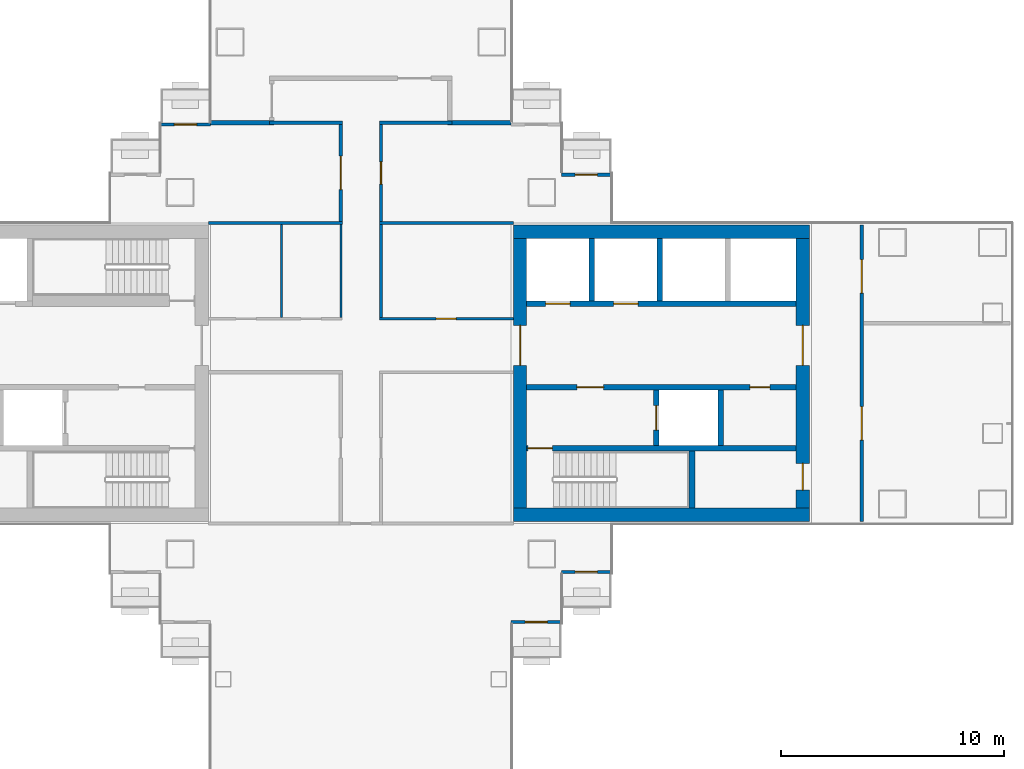
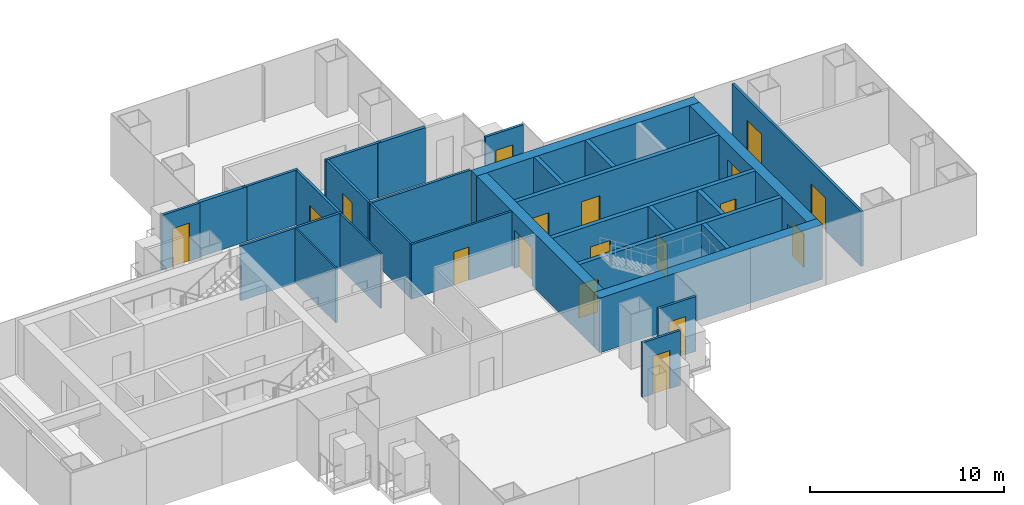
# One storey, part 13 of 20: 29 walls, 18 doors, 18 openings.
"""IFC4 building model written with IfcOpenShell, lengths in metres."""

import ifcopenshell
import ifcopenshell.guid

model = None  # the IFC model being written
_history = None  # IfcOwnerHistory: only IFC2X3 demands one
_inside = {}  # id of a spatial element -> (the spatial element, [elements in it])
_under = {}  # id of a project, library or spatial element -> (it, [spatial elements below it])
_declared = {}  # id of a project -> (the project, [libraries it declares])
_typed = {}  # id of a type object -> (the type object, [elements of that type])
_made_of = {}  # id of a material, layer set ... -> (it, [elements and type objects made of it])


def new_model(schema):
    """Start an empty IFC model of exactly this schema.

    Asked for "IFC4X3", IfcOpenShell would pick the latest addendum, in which some entities
    have other attributes; the version numbers below select the first issue.
    IFC2X3 requires an IfcOwnerHistory on every rooted entity: one is made here for all.
    """
    global model, _history
    if schema == "IFC4X3":
        model = ifcopenshell.file(schema_version=(4, 3, 0, 0))
    else:
        model = ifcopenshell.file(schema=schema)
    _inside.clear()
    _under.clear()
    _declared.clear()
    _typed.clear()
    _made_of.clear()
    _history = None
    if model.schema == "IFC2X3":
        org = make("IfcOrganization", Name="unknown")
        user = make(
            "IfcPersonAndOrganization",
            ThePerson=make("IfcPerson", FamilyName="unknown"),
            TheOrganization=org,
        )
        app = make(
            "IfcApplication",
            ApplicationDeveloper=org,
            Version="unknown",
            ApplicationFullName="unknown",
            ApplicationIdentifier="unknown",
        )
        _history = make(
            "IfcOwnerHistory",
            OwningUser=user,
            OwningApplication=app,
            ChangeAction="ADDED",
            CreationDate=0,
        )
    return model


def make(cls, **values):
    """One entity of the class cls with the attributes given. An attribute that is None is left unset."""
    return model.create_entity(
        cls, **{name: value for name, value in values.items() if value is not None}
    )


def rooted(cls, **values):
    """An entity with a GlobalId (a new one), such as an element, a storey or a relation."""
    return make(cls, GlobalId=ifcopenshell.guid.new(), OwnerHistory=_history, **values)


def si_unit(unit_type, name, prefix=None):
    """IfcSIUnit, for example si_unit("LENGTHUNIT", "METRE", prefix="MILLI")."""
    return make("IfcSIUnit", UnitType=unit_type, Prefix=prefix, Name=name)


def assignment(units):
    """IfcUnitAssignment: the units of a project."""
    return None if units is None else make("IfcUnitAssignment", Units=units)


def point(xyz):
    """IfcCartesianPoint."""
    return None if xyz is None else make("IfcCartesianPoint", Coordinates=xyz)


def direction(xyz):
    """IfcDirection."""
    return None if xyz is None else make("IfcDirection", DirectionRatios=xyz)


def frame(location, z_axis=None, x_axis=None):
    """IfcAxis2Placement3D, a coordinate frame: its origin and axes. An axis left out is left unset."""
    return make(
        "IfcAxis2Placement3D",
        Location=point(location),
        Axis=direction(z_axis),
        RefDirection=direction(x_axis),
    )


def frame_2d(location, x_axis=None):
    """IfcAxis2Placement2D, a coordinate frame in the plane: its origin and x axis."""
    return make(
        "IfcAxis2Placement2D", Location=point(location), RefDirection=direction(x_axis)
    )


def origin():
    """The frame at (0, 0, 0) with its axes left unset."""
    return frame((0.0, 0.0, 0.0))


def place(relative_to, where):
    """IfcLocalPlacement: puts the frame where relative to a parent placement (None: the world)."""
    return make(
        "IfcLocalPlacement", PlacementRelTo=relative_to, RelativePlacement=where
    )


def context(
    kind, dimensions, precision=None, world=None, true_north=None, identifier=None
):
    """IfcGeometricRepresentationContext, for example the 3D "Model" context."""
    return make(
        "IfcGeometricRepresentationContext",
        ContextIdentifier=identifier,
        ContextType=kind,
        CoordinateSpaceDimension=dimensions,
        Precision=precision,
        WorldCoordinateSystem=world,
        TrueNorth=true_north,
    )


def subcontext(parent, identifier, kind, view, scale=None):
    """IfcGeometricRepresentationSubContext, for example "Body" below "Model"."""
    return make(
        "IfcGeometricRepresentationSubContext",
        ContextIdentifier=identifier,
        ContextType=kind,
        ParentContext=parent,
        TargetScale=scale,
        TargetView=view,
    )


def project(units=None, contexts=None):
    """IfcProject with its units and contexts."""
    return rooted(
        "IfcProject",
        Name="project",
        RepresentationContexts=contexts,
        UnitsInContext=assignment(units),
    )


def spatial(cls, under=None, at=None, **own):
    """A site, building, storey or space (cls), placed at a placement, below another one or the project."""
    s = rooted(cls, ObjectPlacement=at, **own)
    if under is not None:
        _under.setdefault(under.id(), (under, []))[1].append(s)
    return s


def profile(cls, at=None, kind="AREA", **sizes):
    """A parametric profile (cls). Its sizes go by their IFC names, for example OverallWidth=200.0."""
    return make(cls, ProfileType=kind, Position=at, **sizes)


def rectangle(**sizes):
    """IfcRectangleProfileDef."""
    return profile("IfcRectangleProfileDef", **sizes)


def extrude(swept, where, along, depth):
    """IfcExtrudedAreaSolid: the profile swept, set in the frame where, extruded along a direction by depth."""
    return make(
        "IfcExtrudedAreaSolid",
        SweptArea=swept,
        Position=where,
        ExtrudedDirection=direction(along),
        Depth=depth,
    )


def shape(context_of_items, identifier, shape_type, items):
    """IfcShapeRepresentation: the items that make up one representation, for example the "Body"."""
    return make(
        "IfcShapeRepresentation",
        ContextOfItems=context_of_items,
        RepresentationIdentifier=identifier,
        RepresentationType=shape_type,
        Items=items,
    )


def material(Name=None, Category=None):
    """IfcMaterial."""
    return make("IfcMaterial", Name=Name, Category=Category)


def layer(
    of_material, thickness, ventilated=None, Name=None, Category=None, Priority=None
):
    """IfcMaterialLayer: one layer of a wall or slab, of a material (None: an air gap)."""
    return make(
        "IfcMaterialLayer",
        Material=of_material,
        LayerThickness=thickness,
        IsVentilated=ventilated,
        Name=Name,
        Category=Category,
        Priority=Priority,
    )


def layer_set(layers, Name=None):
    """IfcMaterialLayerSet."""
    return make("IfcMaterialLayerSet", MaterialLayers=layers, LayerSetName=Name)


def made_of(thing, what):
    """Note that an element or type object is made of a material, layer set ...; save() writes the relation."""
    if what is not None:
        _made_of.setdefault(what.id(), (what, []))[1].append(thing)
    return thing


def type_object(cls, material=None, **own):
    """A type object (cls), such as IfcWallType, which elements share."""
    return made_of(rooted(cls, **own), material)


def element(
    cls,
    number,
    at=None,
    inside=None,
    cuts=None,
    type_object=None,
    material=None,
    context=None,
    identifier="Body",
    shape_type=None,
    held_by="IfcProductDefinitionShape",
    body=None,
    shapes=None,
    **own,
):
    """One element of the class cls, such as IfcWall. Its Tag is "e" and its number.

    at: its placement. inside: the storey or other place that contains it. cuts: it is an
    opening in that element (IfcRelVoidsElement). A single representation is given by context,
    identifier, shape_type and body (its items); several are given by shapes. held_by: the class
    of the entity that holds the representations. save() writes the other relations.
    """
    e = rooted(cls, Tag="e%d" % number, ObjectPlacement=at, **own)
    if body is not None:
        shapes = [shape(context, identifier, shape_type, body)]
    if shapes is not None:
        e.Representation = make(held_by, Representations=shapes)
    if inside is not None:
        _inside.setdefault(inside.id(), (inside, []))[1].append(e)
    if cuts is not None:
        rooted(
            "IfcRelVoidsElement", RelatingBuildingElement=cuts, RelatedOpeningElement=e
        )
    if type_object is not None:
        _typed.setdefault(type_object.id(), (type_object, []))[1].append(e)
    return made_of(e, material)


def fill(opening, filler):
    """IfcRelFillsElement: the door or window that sits in an opening."""
    return rooted(
        "IfcRelFillsElement",
        RelatingOpeningElement=opening,
        RelatedBuildingElement=filler,
    )


def aggregate(whole, parts):
    """IfcRelAggregates: a whole, such as a stair, and the parts it consists of."""
    return rooted("IfcRelAggregates", RelatingObject=whole, RelatedObjects=parts)


def save(model, path):
    """Write the relations noted so far, then the file.

    IfcRelAggregates (storeys below a building ...), IfcRelContainedInSpatialStructure (elements
    in a storey), IfcRelDefinesByType, IfcRelAssociatesMaterial and IfcRelDeclares: one each for
    every whole, place, type object, material and project.
    """
    for whole, parts in _under.values():
        aggregate(whole, parts)
    for where, things in _inside.values():
        rooted(
            "IfcRelContainedInSpatialStructure",
            RelatedElements=things,
            RelatingStructure=where,
        )
    for kind, things in _typed.values():
        rooted("IfcRelDefinesByType", RelatedObjects=things, RelatingType=kind)
    for what, things in _made_of.values():
        rooted("IfcRelAssociatesMaterial", RelatedObjects=things, RelatingMaterial=what)
    for by, libraries in _declared.values():
        rooted("IfcRelDeclares", RelatingContext=by, RelatedDefinitions=libraries)
    model.write(path)


model = new_model("IFC4")

# Units and contexts
model_context = context("Model", 3, precision=1e-05, world=origin(), true_north=direction((0.0, 1.0)))
body_context = subcontext(model_context, "Body", "Model", "MODEL_VIEW")
ifc_project = project(units=[si_unit("LENGTHUNIT", "METRE"), si_unit("AREAUNIT", "SQUARE_METRE"), si_unit("VOLUMEUNIT", "CUBIC_METRE"), si_unit("PLANEANGLEUNIT", "RADIAN"), si_unit("MASSUNIT", "GRAM", prefix="KILO")], contexts=[model_context])

# Site, building, storey
site_placement = place(None, origin())
site = spatial("IfcSite", under=ifc_project, at=site_placement, CompositionType="ELEMENT")
building_placement = place(site_placement, origin())
building = spatial("IfcBuilding", under=site, at=building_placement, Name="Shamsa Quay Exchange Towers", CompositionType="ELEMENT")
storey_placement = place(building_placement, frame((0.0, 0.0, 124.800048828125)))
storey = spatial("IfcBuildingStorey", under=building, at=storey_placement, Name="L29", CompositionType="ELEMENT", Elevation=124.800048828125)

# Walls
ifc_material_1 = material(Name="Double-leaf gypsum board partition with acoustic insulation")
ifc_layer_1 = layer(ifc_material_1, 0.199951171875)
ifc_layer_set_1 = layer_set([ifc_layer_1], Name="Acoustic partition 200 mm EI 60")
wall_type_1 = type_object("IfcWallType", Name="Acoustic partition 200 mm EI 60", PredefinedType="PARTITIONING", material=ifc_layer_set_1)
for number, where, z_axis, x_axis, name in (
    (1, (-27.0, 11.25, 0.0), (0.0, 0.0, 1.0), (-1.0, 0.0, 0.0), "Partition T1-R13-W23"),
    (2, (-37.64990234375, 11.25, 0.0), (0.0, 0.0, 1.0), (-1.0, 0.0, 0.0), "Partition T1-R13-W24"),
):
    element("IfcWall", number, at=place(storey_placement, frame(where, z_axis=z_axis, x_axis=x_axis)), inside=storey, type_object=wall_type_1, Name=name, PredefinedType="PARTITIONING", context=body_context, shape_type="SweptSolid", body=[
        extrude(rectangle(XDim=2.85009765625, YDim=0.199951171875, at=frame_2d((1.425048828125, 0.0))), origin(), (0.0, 0.0, 1.0), 3.449951171875),
    ])

# Wall, opening, door
ifc_material_2 = material(Name="Aluminium EN AW-6063 T6, black anodised, with black enamelled glass infill", Category="aluminium")
ifc_layer_2 = layer(ifc_material_2, 0.14990234375)
ifc_layer_set_2 = layer_set([ifc_layer_2], Name="BALCONY DOOR BAY WALL 150")
wall_type_2 = type_object("IfcWallType", Name="BALCONY DOOR BAY WALL 150", PredefinedType="SOLIDWALL", material=ifc_layer_set_2)
wall_1_placement = place(storey_placement, frame((-24.75, 8.925048828125, 0.0)))
wall_1 = element("IfcWall", 3, at=wall_1_placement, inside=storey, type_object=wall_type_2, Name="Door bay T1-PKEN L29", PredefinedType="SOLIDWALL", context=body_context, shape_type="SweptSolid", body=[
    extrude(rectangle(XDim=2.25, YDim=0.14990234375, at=frame_2d((1.125, 0.0))), origin(), (0.0, 0.0, 1.0), 3.449951171875),
])
opening_1_placement = place(wall_1_placement, frame((0.625, 0.0, 0.0)))
opening_1 = element("IfcOpeningElement", 4, at=opening_1_placement, cuts=wall_1, Name="Opening XD185", PredefinedType="OPENING", context=body_context, shape_type="SweptSolid", body=[
    extrude(rectangle(XDim=1.0, YDim=2.39990234375, at=frame_2d((0.5, 1.199951171875))), frame((0.0, 0.0849609375, 0.0), z_axis=(0.0, -1.0, 0.0), x_axis=(1.0, 0.0, 0.0)), (0.0, 0.0, 1.0), 0.169921875),
])
ifc_material_3 = material(Name="Aluminium EN AW-6063 T6, black anodised, with laminated glass leaf", Category="aluminium")
door_type_1 = type_object("IfcDoorType", Name="BALCONY DOOR 1000x2400", OperationType="SINGLE_SWING_LEFT", PredefinedType="DOOR", material=ifc_material_3)
door_1_placement = place(opening_1_placement, origin())
door_1 = element("IfcDoor", 5, at=door_1_placement, inside=storey, type_object=door_type_1, Name="Balcony door T1-PKEN L29", OperationType="SINGLE_SWING_RIGHT", OverallHeight=2.39990234375, OverallWidth=1.0, PredefinedType="DOOR", context=body_context, shape_type="SweptSolid", body=[
    extrude(rectangle(XDim=1.0, YDim=2.39990234375, at=frame_2d((0.5, 1.199951171875))), frame((0.0, 0.02490234375, 0.0), z_axis=(0.0, -1.0, 0.0), x_axis=(1.0, 0.0, 0.0)), (0.0, 0.0, 1.0), 0.050048828125),
])
fill(opening_1, door_1)

wall_2_placement = place(storey_placement, frame((-22.5, -8.925048828125, 0.0), z_axis=(0.0, 0.0, 1.0), x_axis=(-1.0, 0.0, 0.0)))
wall_2 = element("IfcWall", 6, at=wall_2_placement, inside=storey, type_object=wall_type_2, Name="Door bay T1-PKES L29", PredefinedType="SOLIDWALL", context=body_context, shape_type="SweptSolid", body=[
    extrude(rectangle(XDim=2.25, YDim=0.14990234375, at=frame_2d((1.125, 0.0))), origin(), (0.0, 0.0, 1.0), 3.449951171875),
])
opening_2_placement = place(wall_2_placement, frame((0.625, 0.0, 0.0)))
opening_2 = element("IfcOpeningElement", 7, at=opening_2_placement, cuts=wall_2, Name="Opening XD187", PredefinedType="OPENING", context=body_context, shape_type="SweptSolid", body=[
    extrude(rectangle(XDim=1.0, YDim=2.39990234375, at=frame_2d((0.5, 1.199951171875))), frame((0.0, 0.0849609375, 0.0), z_axis=(0.0, -1.0, 0.0), x_axis=(1.0, 0.0, 0.0)), (0.0, 0.0, 1.0), 0.169921875),
])
door_2_placement = place(opening_2_placement, origin())
door_2 = element("IfcDoor", 8, at=door_2_placement, inside=storey, type_object=door_type_1, Name="Balcony door T1-PKES L29", OperationType="SINGLE_SWING_RIGHT", OverallHeight=2.39990234375, OverallWidth=1.0, PredefinedType="DOOR", context=body_context, shape_type="SweptSolid", body=[
    extrude(rectangle(XDim=1.0, YDim=2.39990234375, at=frame_2d((0.5, 1.199951171875))), frame((0.0, 0.02490234375, 0.0), z_axis=(0.0, -1.0, 0.0), x_axis=(1.0, 0.0, 0.0)), (0.0, 0.0, 1.0), 0.050048828125),
])
fill(opening_2, door_2)

wall_3_placement = place(storey_placement, frame((-24.75, -11.175048828125, 0.0), z_axis=(0.0, 0.0, 1.0), x_axis=(-1.0, 0.0, 0.0)))
wall_3 = element("IfcWall", 9, at=wall_3_placement, inside=storey, type_object=wall_type_2, Name="Door bay T1-PKES L29", PredefinedType="SOLIDWALL", context=body_context, shape_type="SweptSolid", body=[
    extrude(rectangle(XDim=2.25, YDim=0.14990234375, at=frame_2d((1.125, 0.0))), origin(), (0.0, 0.0, 1.0), 3.449951171875),
])
opening_3_placement = place(wall_3_placement, frame((0.625, 0.0, 0.0)))
opening_3 = element("IfcOpeningElement", 10, at=opening_3_placement, cuts=wall_3, Name="Opening XD188", PredefinedType="OPENING", context=body_context, shape_type="SweptSolid", body=[
    extrude(rectangle(XDim=1.0, YDim=2.39990234375, at=frame_2d((0.5, 1.199951171875))), frame((0.0, 0.0849609375, 0.0), z_axis=(0.0, -1.0, 0.0), x_axis=(1.0, 0.0, 0.0)), (0.0, 0.0, 1.0), 0.169921875),
])
door_3_placement = place(opening_3_placement, origin())
door_3 = element("IfcDoor", 11, at=door_3_placement, inside=storey, type_object=door_type_1, Name="Balcony door T1-PKES L29", OperationType="SINGLE_SWING_LEFT", OverallHeight=2.39990234375, OverallWidth=1.0, PredefinedType="DOOR", context=body_context, shape_type="SweptSolid", body=[
    extrude(rectangle(XDim=1.0, YDim=2.39990234375, at=frame_2d((0.5, 1.199951171875))), frame((0.0, 0.02490234375, 0.0), z_axis=(0.0, -1.0, 0.0), x_axis=(1.0, 0.0, 0.0)), (0.0, 0.0, 1.0), 0.050048828125),
])
fill(opening_3, door_3)

wall_4_placement = place(storey_placement, frame((-42.75, 11.175048828125, 0.0)))
wall_4 = element("IfcWall", 12, at=wall_4_placement, inside=storey, type_object=wall_type_2, Name="Door bay T1-PKWN L29", PredefinedType="SOLIDWALL", context=body_context, shape_type="SweptSolid", body=[
    extrude(rectangle(XDim=2.25, YDim=0.14990234375, at=frame_2d((1.125, 0.0))), origin(), (0.0, 0.0, 1.0), 3.449951171875),
])
opening_4_placement = place(wall_4_placement, frame((0.625, 0.0, 0.0)))
opening_4 = element("IfcOpeningElement", 13, at=opening_4_placement, cuts=wall_4, Name="Opening XD189", PredefinedType="OPENING", context=body_context, shape_type="SweptSolid", body=[
    extrude(rectangle(XDim=1.0, YDim=2.39990234375, at=frame_2d((0.5, 1.199951171875))), frame((0.0, 0.0849609375, 0.0), z_axis=(0.0, -1.0, 0.0), x_axis=(1.0, 0.0, 0.0)), (0.0, 0.0, 1.0), 0.169921875),
])
door_4_placement = place(opening_4_placement, origin())
door_4 = element("IfcDoor", 14, at=door_4_placement, inside=storey, type_object=door_type_1, Name="Balcony door T1-PKWN L29", OperationType="SINGLE_SWING_LEFT", OverallHeight=2.39990234375, OverallWidth=1.0, PredefinedType="DOOR", context=body_context, shape_type="SweptSolid", body=[
    extrude(rectangle(XDim=1.0, YDim=2.39990234375, at=frame_2d((0.5, 1.199951171875))), frame((0.0, 0.02490234375, 0.0), z_axis=(0.0, -1.0, 0.0), x_axis=(1.0, 0.0, 0.0)), (0.0, 0.0, 1.0), 0.050048828125),
])
fill(opening_4, door_4)

# Walls
ifc_material_4 = material(Name="Concrete C70/85", Category="concrete")
ifc_layer_3 = layer(ifc_material_4, 0.60009765625)
ifc_layer_set_3 = layer_set([ifc_layer_3], Name="CORE WALL 600 C70/85")
wall_type_3 = type_object("IfcWallType", Name="CORE WALL 600 C70/85", PredefinedType="SHEAR", material=ifc_layer_set_3)
for number, where, name in (
    (15, (-26.89990234375, -6.35009765625, 0.0), "Core wall T1A-R13-PS"),
    (16, (-26.89990234375, 6.35009765625, 0.0), "Core wall T1A-R13-PN"),
):
    element("IfcWall", number, at=place(storey_placement, frame(where)), inside=storey, type_object=wall_type_3, Name=name, PredefinedType="SHEAR", context=body_context, shape_type="SweptSolid", body=[
        extrude(rectangle(XDim=13.2998046875, YDim=0.60009765625, at=frame_2d((6.64990234375, 0.0))), origin(), (0.0, 0.0, 1.0), 3.449951171875),
    ])

# Wall, opening, door
wall_5_placement = place(storey_placement, frame((-26.60009765625, 6.050048828125, 0.0), z_axis=(0.0, 0.0, 1.0), x_axis=(0.0, -1.0, 0.0)))
wall_5 = element("IfcWall", 17, at=wall_5_placement, inside=storey, type_object=wall_type_3, Name="Core wall T1A-R13-PF", PredefinedType="SHEAR", context=body_context, shape_type="SweptSolid", body=[
    extrude(rectangle(XDim=12.10009765625, YDim=0.60009765625, at=frame_2d((6.050048828125, 0.0))), origin(), (0.0, 0.0, 1.0), 3.449951171875),
])
opening_5_placement = place(wall_5_placement, frame((3.89990234375, 0.0, 0.0)))
opening_5 = element("IfcOpeningElement", 18, at=opening_5_placement, cuts=wall_5, Name="Opening T1A-R13-LBD01", PredefinedType="OPENING", context=body_context, shape_type="SweptSolid", body=[
    extrude(rectangle(XDim=1.800048828125, YDim=2.39990234375, at=frame_2d((0.89990234375, 1.199951171875))), frame((0.0, 0.31005859375, 0.0), z_axis=(0.0, -1.0, 0.0), x_axis=(1.0, 0.0, 0.0)), (0.0, 0.0, 1.0), 0.6201171875),
])
ifc_material_5 = material(Name="Steel, fire rated", Category="steel")
door_type_2 = type_object("IfcDoorType", Name="LIFT LOBBY DOOR PAIR 1800", OperationType="DOUBLE_DOOR_SINGLE_SWING", PredefinedType="DOOR", material=ifc_material_5)
door_5_placement = place(opening_5_placement, origin())
door_5 = element("IfcDoor", 19, at=door_5_placement, inside=storey, type_object=door_type_2, Name="T1A-R13-LBD01", OperationType="DOUBLE_DOOR_SINGLE_SWING", OverallHeight=2.39990234375, OverallWidth=1.800048828125, PredefinedType="DOOR", context=body_context, shape_type="SweptSolid", body=[
    extrude(rectangle(XDim=1.800048828125, YDim=2.39990234375, at=frame_2d((0.89990234375, 1.199951171875))), frame((0.0, 0.02490234375, 0.0), z_axis=(0.0, -1.0, 0.0), x_axis=(1.0, 0.0, 0.0)), (0.0, 0.0, 1.0), 0.050048828125),
])
fill(opening_5, door_5)

# Wall, openings, doors
wall_6_placement = place(storey_placement, frame((-13.89990234375, 6.050048828125, 0.0), z_axis=(0.0, 0.0, 1.0), x_axis=(0.0, -1.0, 0.0)))
wall_6 = element("IfcWall", 20, at=wall_6_placement, inside=storey, type_object=wall_type_3, Name="Core wall T1A-R13-PB", PredefinedType="SHEAR", context=body_context, shape_type="SweptSolid", body=[
    extrude(rectangle(XDim=12.10009765625, YDim=0.60009765625, at=frame_2d((6.050048828125, 0.0))), origin(), (0.0, 0.0, 1.0), 3.449951171875),
])
opening_6_placement = place(wall_6_placement, frame((10.10009765625, 0.0, 0.0)))
opening_6 = element("IfcOpeningElement", 21, at=opening_6_placement, cuts=wall_6, Name="Opening T1A-R13-RD02", PredefinedType="OPENING", context=body_context, shape_type="SweptSolid", body=[
    extrude(rectangle(XDim=1.199951171875, YDim=2.10009765625, at=frame_2d((0.60009765625, 1.050048828125))), frame((0.0, 0.31005859375, 0.0), z_axis=(0.0, -1.0, 0.0), x_axis=(1.0, 0.0, 0.0)), (0.0, 0.0, 1.0), 0.6201171875),
])
opening_7_placement = place(wall_6_placement, frame((3.89990234375, 0.0, 0.0)))
opening_7 = element("IfcOpeningElement", 22, at=opening_7_placement, cuts=wall_6, Name="Opening T1A-R13-LBD03", PredefinedType="OPENING", context=body_context, shape_type="SweptSolid", body=[
    extrude(rectangle(XDim=1.800048828125, YDim=2.39990234375, at=frame_2d((0.89990234375, 1.199951171875))), frame((0.0, 0.31005859375, 0.0), z_axis=(0.0, -1.0, 0.0), x_axis=(1.0, 0.0, 0.0)), (0.0, 0.0, 1.0), 0.6201171875),
])
door_6_placement = place(opening_7_placement, origin())
door_6 = element("IfcDoor", 23, at=door_6_placement, inside=storey, type_object=door_type_2, Name="T1A-R13-LBD03", OperationType="DOUBLE_DOOR_SINGLE_SWING", OverallHeight=2.39990234375, OverallWidth=1.800048828125, PredefinedType="DOOR", context=body_context, shape_type="SweptSolid", body=[
    extrude(rectangle(XDim=1.800048828125, YDim=2.39990234375, at=frame_2d((0.89990234375, 1.199951171875))), frame((0.0, 0.02490234375, 0.0), z_axis=(0.0, -1.0, 0.0), x_axis=(1.0, 0.0, 0.0)), (0.0, 0.0, 1.0), 0.050048828125),
])
fill(opening_7, door_6)
door_type_3 = type_object("IfcDoorType", Name="RISER ACCESS DOOR 1200", OperationType="SINGLE_SWING_LEFT", PredefinedType="DOOR", material=ifc_material_5)
door_7_placement = place(opening_6_placement, origin())
door_7 = element("IfcDoor", 24, at=door_7_placement, inside=storey, type_object=door_type_3, Name="T1A-R13-RD02", OperationType="SINGLE_SWING_RIGHT", OverallHeight=2.10009765625, OverallWidth=1.199951171875, PredefinedType="DOOR", context=body_context, shape_type="SweptSolid", body=[
    extrude(rectangle(XDim=1.199951171875, YDim=2.10009765625, at=frame_2d((0.60009765625, 1.050048828125))), frame((0.0, 0.02490234375, 0.0), z_axis=(0.0, -1.0, 0.0), x_axis=(1.0, 0.0, 0.0)), (0.0, 0.0, 1.0), 0.050048828125),
])
fill(opening_6, door_7)

# Wall
ifc_material_6 = material(Name="Laminated fire-resisting glass in a metal frame", Category="glass")
ifc_layer_4 = layer(ifc_material_6, 0.125)
ifc_layer_set_4 = layer_set([ifc_layer_4], Name="Glazed partition 125 mm EI 60")
wall_type_4 = type_object("IfcWallType", Name="Glazed partition 125 mm EI 60", PredefinedType="PARTITIONING", material=ifc_layer_set_4)
wall_7_placement = place(storey_placement, frame((-32.849609375, 6.675048828125, 0.0), z_axis=(0.0, 0.0, 1.0), x_axis=(0.0, -1.0, 0.0)))
element("IfcWall", 25, at=wall_7_placement, inside=storey, type_object=wall_type_4, Name="Partition T1-R13-W01", PredefinedType="PARTITIONING", context=body_context, shape_type="SweptSolid", body=[
    extrude(rectangle(XDim=4.162353515625, YDim=0.125, at=frame_2d((2.0810546875, 0.0))), origin(), (0.0, 0.0, 1.0), 3.449951171875),
])

# Wall, opening, door
wall_8_placement = place(storey_placement, frame((-32.912109375, 2.4501953125, 0.0)))
wall_8 = element("IfcWall", 26, at=wall_8_placement, inside=storey, type_object=wall_type_4, Name="Partition T1-R13-W03", PredefinedType="PARTITIONING", context=body_context, shape_type="SweptSolid", body=[
    extrude(rectangle(XDim=6.01220703125, YDim=0.125, at=frame_2d((3.006103515625, 0.0))), origin(), (0.0, 0.0, 1.0), 3.449951171875),
])
opening_8_placement = place(wall_8_placement, frame((2.537353515625, 0.0, 0.0)))
opening_8 = element("IfcOpeningElement", 27, at=opening_8_placement, cuts=wall_8, Name="Opening T1-R13-D08", PredefinedType="OPENING", context=body_context, shape_type="SweptSolid", body=[
    extrude(rectangle(XDim=0.89990234375, YDim=2.10009765625, at=frame_2d((0.449951171875, 1.050048828125))), frame((0.0, 0.072509765625, 0.0), z_axis=(0.0, -1.0, 0.0), x_axis=(1.0, 0.0, 0.0)), (0.0, 0.0, 1.0), 0.14501953125),
])
ifc_material_7 = material(Name="Timber door leaf in a metal frame", Category="wood")
door_type_4 = type_object("IfcDoorType", Name="Door 900x2100 FD30S", OperationType="NOTDEFINED", PredefinedType="DOOR", material=ifc_material_7)
door_8_placement = place(opening_8_placement, origin())
door_8 = element("IfcDoor", 28, at=door_8_placement, inside=storey, type_object=door_type_4, Name="Door T1-R13-D08", OperationType="SINGLE_SWING_RIGHT", OverallHeight=2.10009765625, OverallWidth=0.89990234375, PredefinedType="DOOR", context=body_context, shape_type="SweptSolid", body=[
    extrude(rectangle(XDim=0.89990234375, YDim=2.10009765625, at=frame_2d((0.449951171875, 1.050048828125))), frame((0.0, 0.02490234375, 0.0), z_axis=(0.0, -1.0, 0.0), x_axis=(1.0, 0.0, 0.0)), (0.0, 0.0, 1.0), 0.050048828125),
])
fill(opening_8, door_8)

# Walls
ifc_material_8 = material(Name="Gypsum board partition on metal studs")
ifc_layer_5 = layer(ifc_material_8, 0.10009765625)
ifc_layer_set_5 = layer_set([ifc_layer_5], Name="Partition 100 mm NOT RATED")
wall_type_5 = type_object("IfcWallType", Name="Partition 100 mm NOT RATED", PredefinedType="PARTITIONING", material=ifc_layer_set_5)
for number, where, z_axis, x_axis, name in (
    (29, (-34.650390625, 2.500244140625, 0.0), (0.0, 0.0, 1.0), (0.0, 1.0, 0.0), "Partition T1-R13-W06"),
    (30, (-37.3125, 2.500244140625, 0.0), (0.0, 0.0, 1.0), (0.0, 1.0, 0.0), "Partition T1-R13-W22"),
):
    element("IfcWall", number, at=place(storey_placement, frame(where, z_axis=z_axis, x_axis=x_axis)), inside=storey, type_object=wall_type_5, Name=name, PredefinedType="PARTITIONING", context=body_context, shape_type="SweptSolid", body=[
        extrude(rectangle(XDim=4.1748046875, YDim=0.10009765625, at=frame_2d((2.08740234375, 0.0))), origin(), (0.0, 0.0, 1.0), 3.449951171875),
    ])

# Wall, opening, door
ifc_layer_6 = layer(ifc_material_8, 0.14990234375)
ifc_layer_set_6 = layer_set([ifc_layer_6], Name="Partition 150 mm EI 60")
wall_type_6 = type_object("IfcWallType", Name="Partition 150 mm EI 60", PredefinedType="PARTITIONING", material=ifc_layer_set_6)
wall_9_placement = place(storey_placement, frame((-34.650390625, 6.824951171875, 0.0), z_axis=(0.0, 0.0, 1.0), x_axis=(0.0, 1.0, 0.0)))
wall_9 = element("IfcWall", 31, at=wall_9_placement, inside=storey, type_object=wall_type_6, Name="Partition T1-R13-W08", PredefinedType="PARTITIONING", context=body_context, shape_type="SweptSolid", body=[
    extrude(rectangle(XDim=4.35009765625, YDim=0.14990234375, at=frame_2d((2.175048828125, 0.0))), origin(), (0.0, 0.0, 1.0), 3.449951171875),
])
opening_9_placement = place(wall_9_placement, frame((1.425048828125, 0.0, 0.0)))
opening_9 = element("IfcOpeningElement", 32, at=opening_9_placement, cuts=wall_9, Name="Opening T1-R13-D05", PredefinedType="OPENING", context=body_context, shape_type="SweptSolid", body=[
    extrude(rectangle(XDim=1.5, YDim=2.10009765625, at=frame_2d((0.75, 1.050048828125))), frame((0.0, 0.0849609375, 0.0), z_axis=(0.0, -1.0, 0.0), x_axis=(1.0, 0.0, 0.0)), (0.0, 0.0, 1.0), 0.169921875),
])
door_type_5 = type_object("IfcDoorType", Name="Door 1500x2100 FD30S pair", OperationType="NOTDEFINED", PredefinedType="DOOR", material=ifc_material_7)
door_9_placement = place(opening_9_placement, origin())
door_9 = element("IfcDoor", 33, at=door_9_placement, inside=storey, type_object=door_type_5, Name="Door T1-R13-D05", OperationType="DOUBLE_DOOR_SINGLE_SWING", OverallHeight=2.10009765625, OverallWidth=1.5, PredefinedType="DOOR", context=body_context, shape_type="SweptSolid", body=[
    extrude(rectangle(XDim=1.5, YDim=2.10009765625, at=frame_2d((0.75, 1.050048828125))), frame((0.0, 0.02490234375, 0.0), z_axis=(0.0, -1.0, 0.0), x_axis=(1.0, 0.0, 0.0)), (0.0, 0.0, 1.0), 0.050048828125),
])
fill(opening_9, door_9)

# Walls
for number, where, z_axis, x_axis, name in (
    (34, (-29.64990234375, 11.25, 0.0), (0.0, 0.0, 1.0), (-1.0, 0.0, 0.0), "Partition T1-R13-W10"),
    (35, (-34.575439453125, 11.25, 0.0), (0.0, 0.0, 1.0), (-1.0, 0.0, 0.0), "Partition T1-R13-W11"),
):
    element("IfcWall", number, at=place(storey_placement, frame(where, z_axis=z_axis, x_axis=x_axis)), inside=storey, type_object=wall_type_6, Name=name, PredefinedType="PARTITIONING", context=body_context, shape_type="SweptSolid", body=[
        extrude(rectangle(XDim=3.274658203125, YDim=0.14990234375, at=frame_2d((1.63720703125, 0.0))), origin(), (0.0, 0.0, 1.0), 3.449951171875),
    ])

# Wall, opening, door
wall_10_placement = place(storey_placement, frame((-32.849609375, 11.175048828125, 0.0), z_axis=(0.0, 0.0, 1.0), x_axis=(0.0, -1.0, 0.0)))
wall_10 = element("IfcWall", 36, at=wall_10_placement, inside=storey, type_object=wall_type_6, Name="Partition T1-R13-W12", PredefinedType="PARTITIONING", context=body_context, shape_type="SweptSolid", body=[
    extrude(rectangle(XDim=4.35009765625, YDim=0.14990234375, at=frame_2d((2.175048828125, 0.0))), origin(), (0.0, 0.0, 1.0), 3.449951171875),
])
opening_10_placement = place(wall_10_placement, frame((1.675048828125, 0.0, 0.0)))
opening_10 = element("IfcOpeningElement", 37, at=opening_10_placement, cuts=wall_10, Name="Opening T1-R13-D09", PredefinedType="OPENING", context=body_context, shape_type="SweptSolid", body=[
    extrude(rectangle(XDim=1.0, YDim=2.39990234375, at=frame_2d((0.5, 1.199951171875))), frame((0.0, 0.0849609375, 0.0), z_axis=(0.0, -1.0, 0.0), x_axis=(1.0, 0.0, 0.0)), (0.0, 0.0, 1.0), 0.169921875),
])
door_type_6 = type_object("IfcDoorType", Name="Door 1000x2400 FD30S", OperationType="NOTDEFINED", PredefinedType="DOOR", material=ifc_material_7)
door_10_placement = place(opening_10_placement, origin())
door_10 = element("IfcDoor", 38, at=door_10_placement, inside=storey, type_object=door_type_6, Name="Door T1-R13-D09", OperationType="SINGLE_SWING_LEFT", OverallHeight=2.39990234375, OverallWidth=1.0, PredefinedType="DOOR", context=body_context, shape_type="SweptSolid", body=[
    extrude(rectangle(XDim=1.0, YDim=2.39990234375, at=frame_2d((0.5, 1.199951171875))), frame((0.0, 0.02490234375, 0.0), z_axis=(0.0, -1.0, 0.0), x_axis=(1.0, 0.0, 0.0)), (0.0, 0.0, 1.0), 0.050048828125),
])
fill(opening_10, door_10)

# Wall, openings, doors
wall_11_placement = place(storey_placement, frame((-11.25, 6.655029296875, 0.0), z_axis=(0.0, 0.0, 1.0), x_axis=(0.0, -1.0, 0.0)))
wall_11 = element("IfcWall", 39, at=wall_11_placement, inside=storey, type_object=wall_type_6, Name="Partition T1-R13-W17", PredefinedType="PARTITIONING", context=body_context, shape_type="SweptSolid", body=[
    extrude(rectangle(XDim=13.31005859375, YDim=0.14990234375, at=frame_2d((6.655029296875, 0.0))), origin(), (0.0, 0.0, 1.0), 3.449951171875),
])
opening_11_placement = place(wall_11_placement, frame((1.554931640625, 0.0, 0.0)))
opening_11 = element("IfcOpeningElement", 40, at=opening_11_placement, cuts=wall_11, Name="Opening T1-R13-D11", PredefinedType="OPENING", context=body_context, shape_type="SweptSolid", body=[
    extrude(rectangle(XDim=1.5, YDim=2.10009765625, at=frame_2d((0.75, 1.050048828125))), frame((0.0, 0.0849609375, 0.0), z_axis=(0.0, -1.0, 0.0), x_axis=(1.0, 0.0, 0.0)), (0.0, 0.0, 1.0), 0.169921875),
])
opening_12_placement = place(wall_11_placement, frame((8.155029296875, 0.0, 0.0)))
opening_12 = element("IfcOpeningElement", 41, at=opening_12_placement, cuts=wall_11, Name="Opening T1-R13-D12", PredefinedType="OPENING", context=body_context, shape_type="SweptSolid", body=[
    extrude(rectangle(XDim=1.5, YDim=2.10009765625, at=frame_2d((0.75, 1.050048828125))), frame((0.0, 0.0849609375, 0.0), z_axis=(0.0, -1.0, 0.0), x_axis=(1.0, 0.0, 0.0)), (0.0, 0.0, 1.0), 0.169921875),
])
door_11_placement = place(opening_11_placement, origin())
door_11 = element("IfcDoor", 42, at=door_11_placement, inside=storey, type_object=door_type_5, Name="Door T1-R13-D11", OperationType="DOUBLE_DOOR_SINGLE_SWING", OverallHeight=2.10009765625, OverallWidth=1.5, PredefinedType="DOOR", context=body_context, shape_type="SweptSolid", body=[
    extrude(rectangle(XDim=1.5, YDim=2.10009765625, at=frame_2d((0.75, 1.050048828125))), frame((0.0, 0.02490234375, 0.0), z_axis=(0.0, -1.0, 0.0), x_axis=(1.0, 0.0, 0.0)), (0.0, 0.0, 1.0), 0.050048828125),
])
fill(opening_11, door_11)
door_12_placement = place(opening_12_placement, origin())
door_12 = element("IfcDoor", 43, at=door_12_placement, inside=storey, type_object=door_type_5, Name="Door T1-R13-D12", OperationType="DOUBLE_DOOR_SINGLE_SWING", OverallHeight=2.10009765625, OverallWidth=1.5, PredefinedType="DOOR", context=body_context, shape_type="SweptSolid", body=[
    extrude(rectangle(XDim=1.5, YDim=2.10009765625, at=frame_2d((0.75, 1.050048828125))), frame((0.0, 0.02490234375, 0.0), z_axis=(0.0, -1.0, 0.0), x_axis=(1.0, 0.0, 0.0)), (0.0, 0.0, 1.0), 0.050048828125),
])
fill(opening_12, door_12)

# Walls
for number, where, z_axis, x_axis, name in (
    (44, (-26.89990234375, 6.75, 0.0), (0.0, 0.0, 1.0), (-1.0, 0.0, 0.0), "Partition T1-R13-W18"),
    (45, (-34.575439453125, 6.75, 0.0), (0.0, 0.0, 1.0), (-1.0, 0.0, 0.0), "Partition T1-R13-W19"),
):
    element("IfcWall", number, at=place(storey_placement, frame(where, z_axis=z_axis, x_axis=x_axis)), inside=storey, type_object=wall_type_6, Name=name, PredefinedType="PARTITIONING", context=body_context, shape_type="SweptSolid", body=[
        extrude(rectangle(XDim=6.024658203125, YDim=0.14990234375, at=frame_2d((3.01220703125, 0.0))), origin(), (0.0, 0.0, 1.0), 3.449951171875),
    ])

# Wall, opening, door
ifc_material_9 = material(Name="Concrete C50/60", Category="concrete")
ifc_layer_7 = layer(ifc_material_9, 0.25)
ifc_layer_set_7 = layer_set([ifc_layer_7], Name="SHAFT WALL 250 C50/60")
wall_type_7 = type_object("IfcWallType", Name="SHAFT WALL 250 C50/60", PredefinedType="SHEAR", material=ifc_layer_set_7)
wall_12_placement = place(storey_placement, frame((-14.199951171875, -3.375, 0.0), z_axis=(0.0, 0.0, 1.0), x_axis=(-1.0, 0.0, 0.0)))
wall_12 = element("IfcWall", 46, at=wall_12_placement, inside=storey, type_object=wall_type_7, Name="Shaft wall T1A-R13-STL", PredefinedType="SHEAR", context=body_context, shape_type="SweptSolid", body=[
    extrude(rectangle(XDim=12.10009765625, YDim=0.25, at=frame_2d((6.050048828125, 0.0))), origin(), (0.0, 0.0, 1.0), 3.449951171875),
])
opening_13_placement = place(wall_12_placement, frame((10.949951171875, 0.0, 0.0)))
opening_13 = element("IfcOpeningElement", 47, at=opening_13_placement, cuts=wall_12, Name="Opening T1A-R13-SD04", PredefinedType="OPENING", context=body_context, shape_type="SweptSolid", body=[
    extrude(rectangle(XDim=1.10009765625, YDim=2.10009765625, at=frame_2d((0.550048828125, 1.050048828125))), frame((0.0, 0.135009765625, 0.0), z_axis=(0.0, -1.0, 0.0), x_axis=(1.0, 0.0, 0.0)), (0.0, 0.0, 1.0), 0.27001953125),
])
door_type_7 = type_object("IfcDoorType", Name="STAIR DOOR 1100", OperationType="SINGLE_SWING_LEFT", PredefinedType="DOOR", material=ifc_material_5)
door_13_placement = place(opening_13_placement, origin())
door_13 = element("IfcDoor", 48, at=door_13_placement, inside=storey, type_object=door_type_7, Name="T1A-R13-SD04", OperationType="SINGLE_SWING_RIGHT", OverallHeight=2.10009765625, OverallWidth=1.10009765625, PredefinedType="DOOR", context=body_context, shape_type="SweptSolid", body=[
    extrude(rectangle(XDim=1.10009765625, YDim=2.10009765625, at=frame_2d((0.550048828125, 1.050048828125))), frame((0.0, 0.02490234375, 0.0), z_axis=(0.0, -1.0, 0.0), x_axis=(1.0, 0.0, 0.0)), (0.0, 0.0, 1.0), 0.050048828125),
])
fill(opening_13, door_13)

# Wall
wall_13_placement = place(storey_placement, frame((-18.875, -6.050048828125, 0.0), z_axis=(0.0, 0.0, 1.0), x_axis=(0.0, 1.0, 0.0)))
element("IfcWall", 49, at=wall_13_placement, inside=storey, type_object=wall_type_7, Name="Shaft wall T1A-R13-STF", PredefinedType="SHEAR", context=body_context, shape_type="SweptSolid", body=[
    extrude(rectangle(XDim=2.550048828125, YDim=0.25, at=frame_2d((1.27490234375, 0.0))), origin(), (0.0, 0.0, 1.0), 3.449951171875),
])

# Wall, openings, doors
wall_14_placement = place(storey_placement, frame((-14.199951171875, -0.625, 0.0), z_axis=(0.0, 0.0, 1.0), x_axis=(-1.0, 0.0, 0.0)))
wall_14 = element("IfcWall", 50, at=wall_14_placement, inside=storey, type_object=wall_type_7, Name="Shaft wall T1A-R13-B", PredefinedType="SHEAR", context=body_context, shape_type="SweptSolid", body=[
    extrude(rectangle(XDim=12.10009765625, YDim=0.25, at=frame_2d((6.050048828125, 0.0))), origin(), (0.0, 0.0, 1.0), 3.449951171875),
])
opening_14_placement = place(wall_14_placement, frame((8.64990234375, 0.0, 0.0)))
opening_14 = element("IfcOpeningElement", 51, at=opening_14_placement, cuts=wall_14, Name="Opening T1A-R13-FD05", PredefinedType="OPENING", context=body_context, shape_type="SweptSolid", body=[
    extrude(rectangle(XDim=1.199951171875, YDim=2.10009765625, at=frame_2d((0.60009765625, 1.050048828125))), frame((0.0, 0.135009765625, 0.0), z_axis=(0.0, -1.0, 0.0), x_axis=(1.0, 0.0, 0.0)), (0.0, 0.0, 1.0), 0.27001953125),
])
opening_15_placement = place(wall_14_placement, frame((1.175048828125, 0.0, 0.0)))
opening_15 = element("IfcOpeningElement", 52, at=opening_15_placement, cuts=wall_14, Name="Opening T1A-R13-SV06", PredefinedType="OPENING", context=body_context, shape_type="SweptSolid", body=[
    extrude(rectangle(XDim=0.89990234375, YDim=2.10009765625, at=frame_2d((0.449951171875, 1.050048828125))), frame((0.0, 0.135009765625, 0.0), z_axis=(0.0, -1.0, 0.0), x_axis=(1.0, 0.0, 0.0)), (0.0, 0.0, 1.0), 0.27001953125),
])
door_type_8 = type_object("IfcDoorType", Name="FIRE SERVICE LOBBY DOOR 1200", OperationType="SINGLE_SWING_LEFT", PredefinedType="DOOR", material=ifc_material_5)
door_14_placement = place(opening_14_placement, origin())
door_14 = element("IfcDoor", 53, at=door_14_placement, inside=storey, type_object=door_type_8, Name="T1A-R13-FD05", OperationType="SINGLE_SWING_RIGHT", OverallHeight=2.10009765625, OverallWidth=1.199951171875, PredefinedType="DOOR", context=body_context, shape_type="SweptSolid", body=[
    extrude(rectangle(XDim=1.199951171875, YDim=2.10009765625, at=frame_2d((0.60009765625, 1.050048828125))), frame((0.0, 0.02490234375, 0.0), z_axis=(0.0, -1.0, 0.0), x_axis=(1.0, 0.0, 0.0)), (0.0, 0.0, 1.0), 0.050048828125),
])
fill(opening_14, door_14)
door_type_9 = type_object("IfcDoorType", Name="SERVICE ROOM DOOR 900", OperationType="SINGLE_SWING_LEFT", PredefinedType="DOOR", material=ifc_material_5)
door_15_placement = place(opening_15_placement, origin())
door_15 = element("IfcDoor", 54, at=door_15_placement, inside=storey, type_object=door_type_9, Name="T1A-R13-SV06", OperationType="SINGLE_SWING_LEFT", OverallHeight=2.10009765625, OverallWidth=0.89990234375, PredefinedType="DOOR", context=body_context, shape_type="SweptSolid", body=[
    extrude(rectangle(XDim=0.89990234375, YDim=2.10009765625, at=frame_2d((0.449951171875, 1.050048828125))), frame((0.0, 0.02490234375, 0.0), z_axis=(0.0, -1.0, 0.0), x_axis=(1.0, 0.0, 0.0)), (0.0, 0.0, 1.0), 0.050048828125),
])
fill(opening_15, door_15)

# Wall, opening, door
wall_15_placement = place(storey_placement, frame((-20.47509765625, -3.25, 0.0), z_axis=(0.0, 0.0, 1.0), x_axis=(0.0, 1.0, 0.0)))
wall_15 = element("IfcWall", 55, at=wall_15_placement, inside=storey, type_object=wall_type_7, Name="Shaft wall T1A-R13-FFF", PredefinedType="SHEAR", context=body_context, shape_type="SweptSolid", body=[
    extrude(rectangle(XDim=2.5, YDim=0.25, at=frame_2d((1.25, 0.0))), origin(), (0.0, 0.0, 1.0), 3.449951171875),
])
opening_16_placement = place(wall_15_placement, frame((0.699951171875, 0.0, 0.0)))
opening_16 = element("IfcOpeningElement", 56, at=opening_16_placement, cuts=wall_15, Name="Opening T1A-R13-LDF07", PredefinedType="OPENING", context=body_context, shape_type="SweptSolid", body=[
    extrude(rectangle(XDim=1.10009765625, YDim=2.10009765625, at=frame_2d((0.550048828125, 1.050048828125))), frame((0.0, 0.135009765625, 0.0), z_axis=(0.0, -1.0, 0.0), x_axis=(1.0, 0.0, 0.0)), (0.0, 0.0, 1.0), 0.27001953125),
])
door_type_10 = type_object("IfcDoorType", Name="FIRE SERVICE LANDING DOOR 1100", OperationType="SLIDING_TO_LEFT", PredefinedType="DOOR", material=ifc_material_5)
door_16_placement = place(opening_16_placement, origin())
door_16 = element("IfcDoor", 57, at=door_16_placement, inside=storey, type_object=door_type_10, Name="T1A-R13-LDF07", OperationType="SLIDING_TO_LEFT", OverallHeight=2.10009765625, OverallWidth=1.10009765625, PredefinedType="DOOR", context=body_context, shape_type="SweptSolid", body=[
    extrude(rectangle(XDim=1.10009765625, YDim=2.10009765625, at=frame_2d((0.550048828125, 1.050048828125))), frame((0.0, 0.02490234375, 0.0), z_axis=(0.0, -1.0, 0.0), x_axis=(1.0, 0.0, 0.0)), (0.0, 0.0, 1.0), 0.050048828125),
])
fill(opening_16, door_16)

# Wall
wall_16_placement = place(storey_placement, frame((-17.574951171875, -3.25, 0.0), z_axis=(0.0, 0.0, 1.0), x_axis=(0.0, 1.0, 0.0)))
element("IfcWall", 58, at=wall_16_placement, inside=storey, type_object=wall_type_7, Name="Shaft wall T1A-R13-FFB", PredefinedType="SHEAR", context=body_context, shape_type="SweptSolid", body=[
    extrude(rectangle(XDim=2.5, YDim=0.25, at=frame_2d((1.25, 0.0))), origin(), (0.0, 0.0, 1.0), 3.449951171875),
])

# Wall, openings, doors
wall_17_placement = place(storey_placement, frame((-26.300048828125, 3.125, 0.0)))
wall_17 = element("IfcWall", 59, at=wall_17_placement, inside=storey, type_object=wall_type_7, Name="Shaft wall T1A-R13-N", PredefinedType="SHEAR", context=body_context, shape_type="SweptSolid", body=[
    extrude(rectangle(XDim=12.10009765625, YDim=0.25, at=frame_2d((6.050048828125, 0.0))), origin(), (0.0, 0.0, 1.0), 3.449951171875),
])
opening_17_placement = place(wall_17_placement, frame((0.85009765625, 0.0, 0.0)))
opening_17 = element("IfcOpeningElement", 60, at=opening_17_placement, cuts=wall_17, Name="Opening T1A-R13-LD08", PredefinedType="OPENING", context=body_context, shape_type="SweptSolid", body=[
    extrude(rectangle(XDim=1.10009765625, YDim=2.10009765625, at=frame_2d((0.550048828125, 1.050048828125))), frame((0.0, 0.135009765625, 0.0), z_axis=(0.0, -1.0, 0.0), x_axis=(1.0, 0.0, 0.0)), (0.0, 0.0, 1.0), 0.27001953125),
])
opening_18_placement = place(wall_17_placement, frame((3.89990234375, 0.0, 0.0)))
opening_18 = element("IfcOpeningElement", 61, at=opening_18_placement, cuts=wall_17, Name="Opening T1A-R13-LD09", PredefinedType="OPENING", context=body_context, shape_type="SweptSolid", body=[
    extrude(rectangle(XDim=1.10009765625, YDim=2.10009765625, at=frame_2d((0.550048828125, 1.050048828125))), frame((0.0, 0.135009765625, 0.0), z_axis=(0.0, -1.0, 0.0), x_axis=(1.0, 0.0, 0.0)), (0.0, 0.0, 1.0), 0.27001953125),
])
door_type_11 = type_object("IfcDoorType", Name="LANDING DOOR 1100", OperationType="SLIDING_TO_LEFT", PredefinedType="DOOR", material=ifc_material_5)
door_17_placement = place(opening_17_placement, origin())
door_17 = element("IfcDoor", 62, at=door_17_placement, inside=storey, type_object=door_type_11, Name="T1A-R13-LD08", OperationType="SLIDING_TO_LEFT", OverallHeight=2.10009765625, OverallWidth=1.10009765625, PredefinedType="DOOR", context=body_context, shape_type="SweptSolid", body=[
    extrude(rectangle(XDim=1.10009765625, YDim=2.10009765625, at=frame_2d((0.550048828125, 1.050048828125))), frame((0.0, 0.02490234375, 0.0), z_axis=(0.0, -1.0, 0.0), x_axis=(1.0, 0.0, 0.0)), (0.0, 0.0, 1.0), 0.050048828125),
])
fill(opening_17, door_17)
door_18_placement = place(opening_18_placement, origin())
door_18 = element("IfcDoor", 63, at=door_18_placement, inside=storey, type_object=door_type_11, Name="T1A-R13-LD09", OperationType="SLIDING_TO_LEFT", OverallHeight=2.10009765625, OverallWidth=1.10009765625, PredefinedType="DOOR", context=body_context, shape_type="SweptSolid", body=[
    extrude(rectangle(XDim=1.10009765625, YDim=2.10009765625, at=frame_2d((0.550048828125, 1.050048828125))), frame((0.0, 0.02490234375, 0.0), z_axis=(0.0, -1.0, 0.0), x_axis=(1.0, 0.0, 0.0)), (0.0, 0.0, 1.0), 0.050048828125),
])
fill(opening_18, door_18)

# Walls
for number, where, z_axis, x_axis, name in (
    (64, (-23.375, 3.25, 0.0), (0.0, 0.0, 1.0), (0.0, 1.0, 0.0), "Shaft wall T1A-R13-D0"),
    (65, (-20.324951171875, 3.25, 0.0), (0.0, 0.0, 1.0), (0.0, 1.0, 0.0), "Shaft wall T1A-R13-D1"),
):
    element("IfcWall", number, at=place(storey_placement, frame(where, z_axis=z_axis, x_axis=x_axis)), inside=storey, type_object=wall_type_7, Name=name, PredefinedType="SHEAR", context=body_context, shape_type="SweptSolid", body=[
        extrude(rectangle(XDim=2.800048828125, YDim=0.25, at=frame_2d((1.39990234375, 0.0))), origin(), (0.0, 0.0, 1.0), 3.449951171875),
    ])

save(model, "model.ifc")
